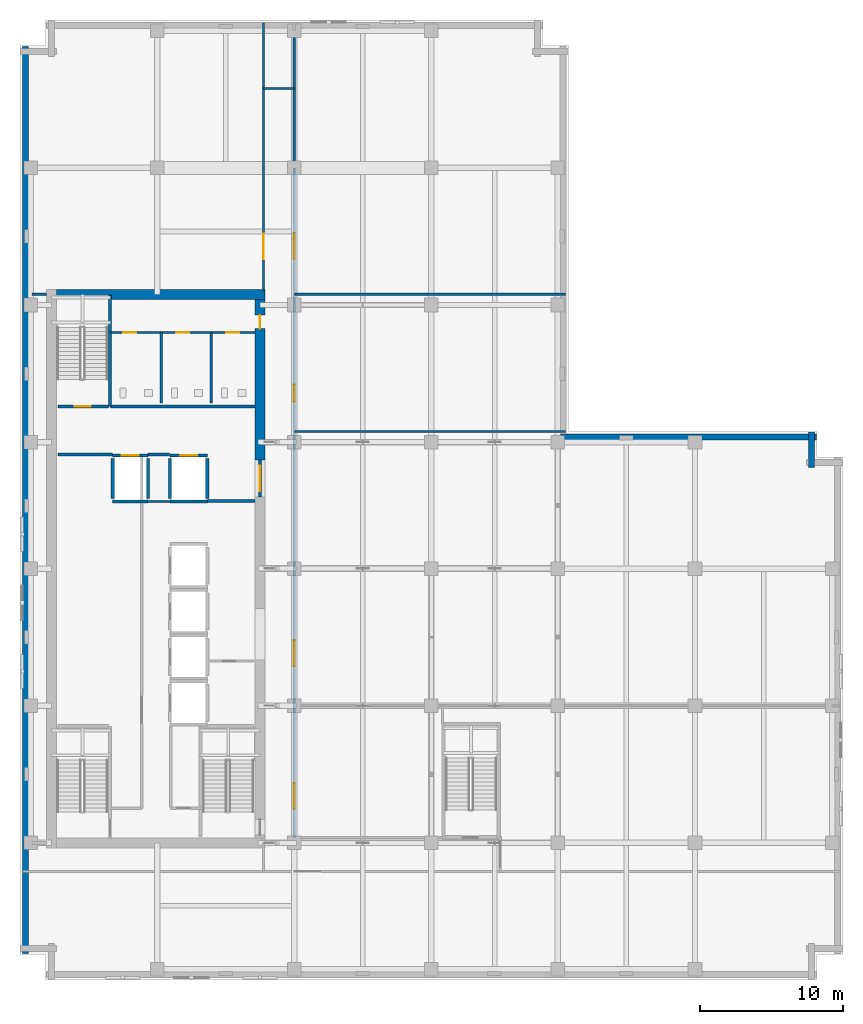
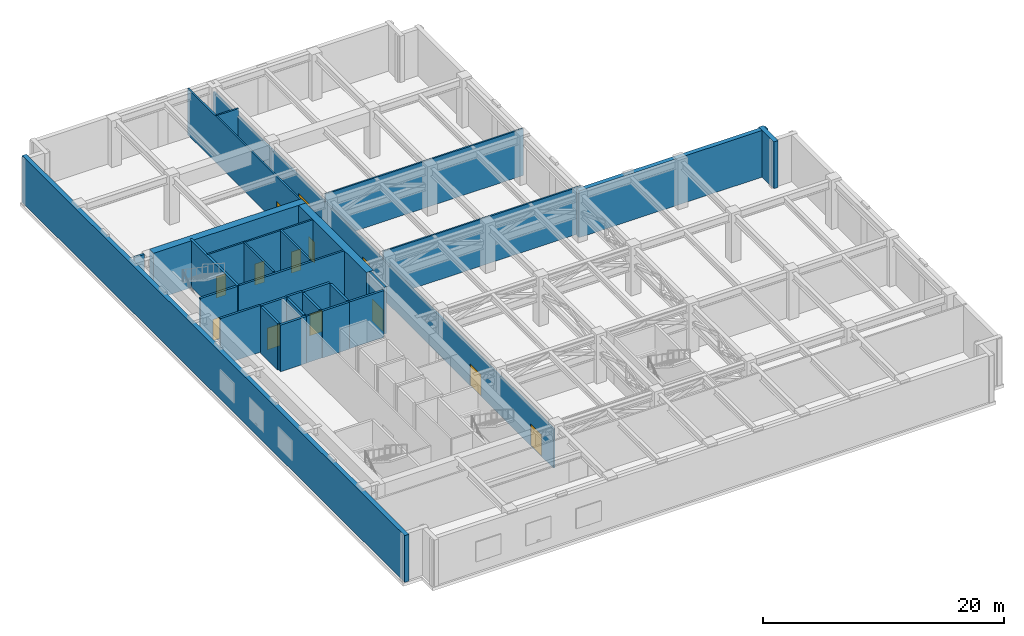
# One storey, part 14 of 21: 31 walls, 13 doors, 13 openings.
"""IFC4 building model written with IfcOpenShell, lengths in metres."""

from ifc_helpers import new_model, si_unit, direction, frame, frame_2d, origin, place, context, subcontext, project, spatial, rectangle, extrude, material, layer, layer_set, type_object, element, fill, save


model = new_model("IFC4")

# Units and contexts
model_context = context("Model", 3, precision=1e-05, world=origin(), true_north=direction((0.0, 1.0)))
body_context = subcontext(model_context, "Body", "Model", "MODEL_VIEW")
ifc_project = project(units=[si_unit("LENGTHUNIT", "METRE"), si_unit("AREAUNIT", "SQUARE_METRE"), si_unit("VOLUMEUNIT", "CUBIC_METRE"), si_unit("PLANEANGLEUNIT", "RADIAN"), si_unit("MASSUNIT", "GRAM", prefix="KILO")], contexts=[model_context])

# Site, building, storey
site_placement = place(None, origin())
site = spatial("IfcSite", under=ifc_project, at=site_placement, CompositionType="ELEMENT")
building_placement = place(site_placement, origin())
building = spatial("IfcBuilding", under=site, at=building_placement, Name="Norrvale University Quadrangle", CompositionType="ELEMENT")
storey_placement = place(building_placement, frame((0.0, 0.0, 194.0)))
storey = spatial("IfcBuildingStorey", under=building, at=storey_placement, Name="L49", CompositionType="ELEMENT", Elevation=194.0)

# Walls
ifc_material_1 = material(Name="Buff Norman Clay Brick Masonry", Category="masonry")
ifc_layer_1 = layer(ifc_material_1, 0.419921875, Name="Buff Norman Clay Brick Masonry")
ifc_layer_set_1 = layer_set([ifc_layer_1], Name="Buff Norman Clay Brick Masonry")
wall_type_1 = type_object("IfcWallType", Name="Wall Buff Brick 420", PredefinedType="SOLIDWALL", material=ifc_layer_set_1)
wall_1_placement = place(storey_placement, frame((55.409912109375, 35.860107421875, 0.0), z_axis=(0.0, 0.0, 1.0), x_axis=(0.0, 1.0, 0.0)))
element("IfcWall", 1, at=wall_1_placement, inside=storey, type_object=wall_type_1, Name="Exterior Brick Facade Wall L49-06.1", PredefinedType="SOLIDWALL", context=body_context, shape_type="SweptSolid", body=[
    extrude(rectangle(XDim=2.5, YDim=0.419921875, at=frame_2d((1.25, 0.0))), origin(), (0.0, 0.0, 1.0), 4.739990234375),
])
wall_2_placement = place(storey_placement, frame((55.760009765625, 38.010009765625, 0.0), z_axis=(0.0, 0.0, 1.0), x_axis=(-1.0, 0.0, 0.0)))
element("IfcWall", 2, at=wall_2_placement, inside=storey, type_object=wall_type_1, Name="Exterior Brick Facade Wall L49-07.1", PredefinedType="SOLIDWALL", context=body_context, shape_type="SweptSolid", body=[
    extrude(rectangle(XDim=18.10009765625, YDim=0.419921875, at=frame_2d((9.050048828125, 0.0))), origin(), (0.0, 0.0, 1.0), 4.739990234375),
])
wall_3_placement = place(storey_placement, frame((0.389892578125, 65.360107421875, 0.0), z_axis=(0.0, 0.0, 1.0), x_axis=(0.0, -1.0, 0.0)))
element("IfcWall", 3, at=wall_3_placement, inside=storey, type_object=wall_type_1, Name="Exterior Brick Facade Wall L49-14.1", PredefinedType="SOLIDWALL", context=body_context, shape_type="SweptSolid", body=[
    extrude(rectangle(XDim=63.52001953125, YDim=0.419921875, at=frame_2d((31.760009765625, 0.0))), origin(), (0.0, 0.0, 1.0), 4.739990234375),
])
ifc_material_2 = material(Name="Concrete C60/75", Category="concrete")
ifc_layer_2 = layer(ifc_material_2, 0.699951171875, Name="Concrete C60/75")
ifc_layer_set_2 = layer_set([ifc_layer_2], Name="Concrete C60/75")
wall_type_2 = type_object("IfcWallType", Name="Wall Core 700", PredefinedType="SHEAR", material=ifc_layer_set_2)
wall_4_placement = place(storey_placement, frame((2.550048828125, 48.0, 0.0), z_axis=(0.0, 0.0, 1.0), x_axis=(1.0, 0.0, 0.0)))
element("IfcWall", 4, at=wall_4_placement, inside=storey, type_object=wall_type_2, Name="Tower Core Shear Wall L49-N", PredefinedType="SHEAR", context=body_context, shape_type="SweptSolid", body=[
    extrude(rectangle(XDim=14.599853515625, YDim=0.699951171875, at=frame_2d((7.2998046875, 0.0))), origin(), (0.0, 0.0, 1.0), 4.739990234375),
])

# Wall, opening, door
wall_5_placement = place(storey_placement, frame((16.800048828125, 36.39990234375, 0.0), z_axis=(0.0, 0.0, 1.0), x_axis=(0.0, 1.0, 0.0)))
wall_5 = element("IfcWall", 5, at=wall_5_placement, inside=storey, type_object=wall_type_2, Name="Tower Core Shear Wall L49-E3", PredefinedType="SHEAR", context=body_context, shape_type="SweptSolid", body=[
    extrude(rectangle(XDim=11.25, YDim=0.699951171875, at=frame_2d((5.625, 0.0))), origin(), (0.0, 0.0, 1.0), 4.739990234375),
])
opening_1_placement = place(wall_5_placement, frame((9.199951171875, 0.0, 0.0)))
opening_1 = element("IfcOpeningElement", 6, at=opening_1_placement, cuts=wall_5, Name="Opening D07", PredefinedType="OPENING", context=body_context, shape_type="SweptSolid", body=[
    extrude(rectangle(XDim=0.949951171875, YDim=2.14990234375, at=frame_2d((0.47509765625, 1.074951171875))), frame((0.0, 0.362060546875, 0.0), z_axis=(0.0, -1.0, 0.0), x_axis=(1.0, 0.0, 0.0)), (0.0, 0.0, 1.0), 0.723876953125),
])
ifc_material_3 = material(Name="Solid-Core Maple Door", Category="wood")
door_type_1 = type_object("IfcDoorType", Name="Door Office 950x2150", OperationType="NOTDEFINED", PredefinedType="DOOR", material=ifc_material_3)
door_1_placement = place(opening_1_placement, origin())
door_1 = element("IfcDoor", 7, at=door_1_placement, inside=storey, type_object=door_type_1, Name="Door Office 950x2150 DR-L49-NECORR", OperationType="SINGLE_SWING_RIGHT", OverallHeight=2.14990234375, OverallWidth=0.949951171875, PredefinedType="DOOR", context=body_context, shape_type="SweptSolid", body=[
    extrude(rectangle(XDim=0.949951171875, YDim=2.14990234375, at=frame_2d((0.47509765625, 1.074951171875))), frame((0.0, 0.02490234375, 0.0), z_axis=(0.0, -1.0, 0.0), x_axis=(1.0, 0.0, 0.0)), (0.0, 0.0, 1.0), 0.050048828125),
])
fill(opening_1, door_1)

# Walls
ifc_material_4 = material(Name="Fire-Rated Gypsum Stud Partition")
ifc_layer_3 = layer(ifc_material_4, 0.14990234375, Name="Fire-Rated Gypsum Stud Partition")
ifc_layer_set_3 = layer_set([ifc_layer_3], Name="Fire-Rated Gypsum Stud Partition")
wall_type_3 = type_object("IfcWallType", Name="Wall Gypsum Corridor 150", PredefinedType="PARTITIONING", material=ifc_layer_set_3)
wall_6_placement = place(storey_placement, frame((8.965087890625, 33.489990234375, 0.0), z_axis=(0.0, 0.0, 1.0), x_axis=(1.0, 0.0, 0.0)))
element("IfcWall", 8, at=wall_6_placement, inside=storey, type_object=wall_type_3, Name="Interior Partition WL-L49-LL3", PredefinedType="PARTITIONING", context=body_context, shape_type="SweptSolid", body=[
    extrude(rectangle(XDim=1.52001953125, YDim=0.14990234375, at=frame_2d((0.760009765625, 0.0))), origin(), (0.0, 0.0, 1.0), 4.739990234375),
])
wall_7_placement = place(storey_placement, frame((17.050048828125, 62.39990234375, 0.0), z_axis=(0.0, 0.0, 1.0), x_axis=(1.0, 0.0, 0.0)))
element("IfcWall", 9, at=wall_7_placement, inside=storey, type_object=wall_type_3, Name="Interior Partition WL-L49-PCN", PredefinedType="PARTITIONING", context=body_context, shape_type="SweptSolid", body=[
    extrude(rectangle(XDim=2.14990234375, YDim=0.14990234375, at=frame_2d((1.074951171875, 0.0))), origin(), (0.0, 0.0, 1.0), 4.699951171875),
])
for number, where, z_axis, x_axis, name in (
    (10, (19.199951171875, 38.39990234375, 0.0), (0.0, 0.0, 1.0), (1.0, 0.0, 0.0), "Interior Partition WL-L49-RF-S"),
    (11, (19.199951171875, 48.0, 0.0), (0.0, 0.0, 1.0), (1.0, 0.0, 0.0), "Interior Partition WL-L49-RF-N"),
):
    element("IfcWall", number, at=place(storey_placement, frame(where, z_axis=z_axis, x_axis=x_axis)), inside=storey, type_object=wall_type_3, Name=name, PredefinedType="PARTITIONING", context=body_context, shape_type="SweptSolid", body=[
        extrude(rectangle(XDim=18.97998046875, YDim=0.14990234375, at=frame_2d((9.489990234375, 0.0))), origin(), (0.0, 0.0, 1.0), 4.739990234375),
    ])

# Wall, openings, doors
wall_8_placement = place(storey_placement, frame((19.199951171875, 9.97998046875, 0.0), z_axis=(0.0, 0.0, 1.0), x_axis=(0.0, 1.0, 0.0)))
wall_8 = element("IfcWall", 12, at=wall_8_placement, inside=storey, type_object=wall_type_3, Name="Interior Partition WL-L49-PE-W", PredefinedType="PARTITIONING", context=body_context, shape_type="SweptSolid", body=[
    extrude(rectangle(XDim=46.8701171875, YDim=0.14990234375, at=frame_2d((23.43505859375, 0.0))), origin(), (0.0, 0.0, 1.0), 3.967041015625),
])
opening_2_placement = place(wall_8_placement, frame((2.0, 0.0, 0.0)))
opening_2 = element("IfcOpeningElement", 13, at=opening_2_placement, cuts=wall_8, Name="Opening D03", PredefinedType="OPENING", context=body_context, shape_type="SweptSolid", body=[
    extrude(rectangle(XDim=1.800048828125, YDim=2.199951171875, at=frame_2d((0.89990234375, 1.10009765625))), frame((0.0, 0.0869140625, 0.0), z_axis=(0.0, -1.0, 0.0), x_axis=(1.0, 0.0, 0.0)), (0.0, 0.0, 1.0), 0.173828125),
])
opening_3_placement = place(wall_8_placement, frame((12.0, 0.0, 0.0)))
opening_3 = element("IfcOpeningElement", 14, at=opening_3_placement, cuts=wall_8, Name="Opening D03", PredefinedType="OPENING", context=body_context, shape_type="SweptSolid", body=[
    extrude(rectangle(XDim=1.800048828125, YDim=2.199951171875, at=frame_2d((0.89990234375, 1.10009765625))), frame((0.0, 0.0869140625, 0.0), z_axis=(0.0, -1.0, 0.0), x_axis=(1.0, 0.0, 0.0)), (0.0, 0.0, 1.0), 0.173828125),
])
opening_4_placement = place(wall_8_placement, frame((30.5, 0.0, 0.0)))
opening_4 = element("IfcOpeningElement", 15, at=opening_4_placement, cuts=wall_8, Name="Opening D05", PredefinedType="OPENING", context=body_context, shape_type="SweptSolid", body=[
    extrude(rectangle(XDim=1.199951171875, YDim=2.199951171875, at=frame_2d((0.60009765625, 1.10009765625))), frame((0.0, 0.0869140625, 0.0), z_axis=(0.0, -1.0, 0.0), x_axis=(1.0, 0.0, 0.0)), (0.0, 0.0, 1.0), 0.173828125),
])
opening_5_placement = place(wall_8_placement, frame((40.5, 0.0, 0.0)))
opening_5 = element("IfcOpeningElement", 16, at=opening_5_placement, cuts=wall_8, Name="Opening D03", PredefinedType="OPENING", context=body_context, shape_type="SweptSolid", body=[
    extrude(rectangle(XDim=1.800048828125, YDim=2.199951171875, at=frame_2d((0.89990234375, 1.10009765625))), frame((0.0, 0.0869140625, 0.0), z_axis=(0.0, -1.0, 0.0), x_axis=(1.0, 0.0, 0.0)), (0.0, 0.0, 1.0), 0.173828125),
])
ifc_material_5 = material(Name="Acoustic Oak Classroom Door", Category="wood")
door_type_2 = type_object("IfcDoorType", Name="Door Classroom 1200x2200", OperationType="NOTDEFINED", PredefinedType="DOOR", material=ifc_material_5)
door_2_placement = place(opening_4_placement, origin())
door_2 = element("IfcDoor", 17, at=door_2_placement, inside=storey, type_object=door_type_2, Name="Door Classroom 1200x2200 DR-L49-REF1", OperationType="SINGLE_SWING_LEFT", OverallHeight=2.199951171875, OverallWidth=1.199951171875, PredefinedType="DOOR", context=body_context, shape_type="SweptSolid", body=[
    extrude(rectangle(XDim=1.199951171875, YDim=2.199951171875, at=frame_2d((0.60009765625, 1.10009765625))), frame((0.0, 0.02490234375, 0.0), z_axis=(0.0, -1.0, 0.0), x_axis=(1.0, 0.0, 0.0)), (0.0, 0.0, 1.0), 0.050048828125),
])
fill(opening_4, door_2)
ifc_material_6 = material(Name="Hollow Steel 350W Fire Door", Category="steel")
door_type_3 = type_object("IfcDoorType", Name="Door Fire Lobby 1800x2200", OperationType="DOUBLE_DOOR_SINGLE_SWING", PredefinedType="DOOR", material=ifc_material_6)
door_3_placement = place(opening_2_placement, origin())
door_3 = element("IfcDoor", 18, at=door_3_placement, inside=storey, type_object=door_type_3, Name="Door Fire Lobby 1800x2200 DR-L49-SUB1", OperationType="DOUBLE_DOOR_SINGLE_SWING", OverallHeight=2.199951171875, OverallWidth=1.800048828125, PredefinedType="DOOR", context=body_context, shape_type="SweptSolid", body=[
    extrude(rectangle(XDim=1.800048828125, YDim=2.199951171875, at=frame_2d((0.89990234375, 1.10009765625))), frame((0.0, 0.02490234375, 0.0), z_axis=(0.0, -1.0, 0.0), x_axis=(1.0, 0.0, 0.0)), (0.0, 0.0, 1.0), 0.050048828125),
])
fill(opening_2, door_3)
door_4_placement = place(opening_3_placement, origin())
door_4 = element("IfcDoor", 19, at=door_4_placement, inside=storey, type_object=door_type_3, Name="Door Fire Lobby 1800x2200 DR-L49-AHU1", OperationType="DOUBLE_DOOR_SINGLE_SWING", OverallHeight=2.199951171875, OverallWidth=1.800048828125, PredefinedType="DOOR", context=body_context, shape_type="SweptSolid", body=[
    extrude(rectangle(XDim=1.800048828125, YDim=2.199951171875, at=frame_2d((0.89990234375, 1.10009765625))), frame((0.0, 0.02490234375, 0.0), z_axis=(0.0, -1.0, 0.0), x_axis=(1.0, 0.0, 0.0)), (0.0, 0.0, 1.0), 0.050048828125),
])
fill(opening_3, door_4)
door_5_placement = place(opening_5_placement, origin())
door_5 = element("IfcDoor", 20, at=door_5_placement, inside=storey, type_object=door_type_3, Name="Door Fire Lobby 1800x2200 DR-L49-FAN1", OperationType="DOUBLE_DOOR_SINGLE_SWING", OverallHeight=2.199951171875, OverallWidth=1.800048828125, PredefinedType="DOOR", context=body_context, shape_type="SweptSolid", body=[
    extrude(rectangle(XDim=1.800048828125, YDim=2.199951171875, at=frame_2d((0.89990234375, 1.10009765625))), frame((0.0, 0.02490234375, 0.0), z_axis=(0.0, -1.0, 0.0), x_axis=(1.0, 0.0, 0.0)), (0.0, 0.0, 1.0), 0.050048828125),
])
fill(opening_5, door_5)

# Wall
wall_9_placement = place(storey_placement, frame((19.199951171875, 56.85009765625, 0.0), z_axis=(0.0, 0.0, 1.0), x_axis=(0.0, 1.0, 0.0)))
element("IfcWall", 21, at=wall_9_placement, inside=storey, type_object=wall_type_3, Name="Interior Partition WL-L49-PE-W-B2", PredefinedType="PARTITIONING", context=body_context, shape_type="SweptSolid", body=[
    extrude(rectangle(XDim=9.599853515625, YDim=0.14990234375, at=frame_2d((4.7998046875, 0.0))), origin(), (0.0, 0.0, 1.0), 3.927001953125),
])

# Wall, opening, door
wall_10_placement = place(storey_placement, frame((17.050048828125, 48.25, 0.0), z_axis=(0.0, 0.0, 1.0), x_axis=(0.0, 1.0, 0.0)))
wall_10 = element("IfcWall", 22, at=wall_10_placement, inside=storey, type_object=wall_type_3, Name="Interior Partition WL-L49-TNK-E", PredefinedType="PARTITIONING", context=body_context, shape_type="SweptSolid", body=[
    extrude(rectangle(XDim=18.72998046875, YDim=0.14990234375, at=frame_2d((9.364990234375, 0.0))), origin(), (0.0, 0.0, 1.0), 4.699951171875),
])
opening_6_placement = place(wall_10_placement, frame((2.199951171875, 0.0, 0.0)))
opening_6 = element("IfcOpeningElement", 23, at=opening_6_placement, cuts=wall_10, Name="Opening D03", PredefinedType="OPENING", context=body_context, shape_type="SweptSolid", body=[
    extrude(rectangle(XDim=1.800048828125, YDim=2.199951171875, at=frame_2d((0.89990234375, 1.10009765625))), frame((0.0, 0.0869140625, 0.0), z_axis=(0.0, -1.0, 0.0), x_axis=(1.0, 0.0, 0.0)), (0.0, 0.0, 1.0), 0.173828125),
])
door_6_placement = place(opening_6_placement, origin())
door_6 = element("IfcDoor", 24, at=door_6_placement, inside=storey, type_object=door_type_3, Name="Door Fire Lobby 1800x2200 DR-L49-TNK1", OperationType="DOUBLE_DOOR_SINGLE_SWING", OverallHeight=2.199951171875, OverallWidth=1.800048828125, PredefinedType="DOOR", context=body_context, shape_type="SweptSolid", body=[
    extrude(rectangle(XDim=1.800048828125, YDim=2.199951171875, at=frame_2d((0.89990234375, 1.10009765625))), frame((0.0, 0.02490234375, 0.0), z_axis=(0.0, -1.0, 0.0), x_axis=(1.0, 0.0, 0.0)), (0.0, 0.0, 1.0), 0.050048828125),
])
fill(opening_6, door_6)

# Wall, openings, doors
ifc_material_7 = material(Name="Sanitary Chase Gypsum Partition")
ifc_layer_4 = layer(ifc_material_7, 0.1650390625, Name="Sanitary Chase Gypsum Partition")
ifc_layer_set_4 = layer_set([ifc_layer_4], Name="Sanitary Chase Gypsum Partition")
wall_type_4 = type_object("IfcWallType", Name="Wall Gypsum Sanitary 165", PredefinedType="PLUMBINGWALL", material=ifc_layer_set_4)
wall_11_placement = place(storey_placement, frame((6.320068359375, 45.320068359375, 0.0), z_axis=(0.0, 0.0, 1.0), x_axis=(1.0, 0.0, 0.0)))
wall_11 = element("IfcWall", 25, at=wall_11_placement, inside=storey, type_object=wall_type_4, Name="Interior Partition WL-L49-WCN", PredefinedType="PLUMBINGWALL", context=body_context, shape_type="SweptSolid", body=[
    extrude(rectangle(XDim=10.1298828125, YDim=0.1650390625, at=frame_2d((5.06494140625, 0.0))), origin(), (0.0, 0.0, 1.0), 4.739990234375),
])
opening_7_placement = place(wall_11_placement, frame((0.89990234375, 0.0, 0.0)))
opening_7 = element("IfcOpeningElement", 26, at=opening_7_placement, cuts=wall_11, Name="Opening D08", PredefinedType="OPENING", context=body_context, shape_type="SweptSolid", body=[
    extrude(rectangle(XDim=0.919921875, YDim=2.14990234375, at=frame_2d((0.4599609375, 1.074951171875))), frame((0.0, 0.094482421875, 0.0), z_axis=(0.0, -1.0, 0.0), x_axis=(1.0, 0.0, 0.0)), (0.0, 0.0, 1.0), 0.18896484375),
])
opening_8_placement = place(wall_11_placement, frame((4.60009765625, 0.0, 0.0)))
opening_8 = element("IfcOpeningElement", 27, at=opening_8_placement, cuts=wall_11, Name="Opening D08", PredefinedType="OPENING", context=body_context, shape_type="SweptSolid", body=[
    extrude(rectangle(XDim=0.919921875, YDim=2.14990234375, at=frame_2d((0.4599609375, 1.074951171875))), frame((0.0, 0.094482421875, 0.0), z_axis=(0.0, -1.0, 0.0), x_axis=(1.0, 0.0, 0.0)), (0.0, 0.0, 1.0), 0.18896484375),
])
opening_9_placement = place(wall_11_placement, frame((8.10009765625, 0.0, 0.0)))
opening_9 = element("IfcOpeningElement", 28, at=opening_9_placement, cuts=wall_11, Name="Opening D08", PredefinedType="OPENING", context=body_context, shape_type="SweptSolid", body=[
    extrude(rectangle(XDim=0.919921875, YDim=2.14990234375, at=frame_2d((0.4599609375, 1.074951171875))), frame((0.0, 0.094482421875, 0.0), z_axis=(0.0, -1.0, 0.0), x_axis=(1.0, 0.0, 0.0)), (0.0, 0.0, 1.0), 0.18896484375),
])
ifc_material_8 = material(Name="Laminate Washroom Door", Category="wood")
door_type_4 = type_object("IfcDoorType", Name="Door Washroom 920x2150", OperationType="NOTDEFINED", PredefinedType="DOOR", material=ifc_material_8)
door_7_placement = place(opening_7_placement, origin())
door_7 = element("IfcDoor", 29, at=door_7_placement, inside=storey, type_object=door_type_4, Name="Door Washroom 920x2150 DR-L49-WC1", OperationType="SINGLE_SWING_LEFT", OverallHeight=2.14990234375, OverallWidth=0.919921875, PredefinedType="DOOR", context=body_context, shape_type="SweptSolid", body=[
    extrude(rectangle(XDim=0.919921875, YDim=2.14990234375, at=frame_2d((0.4599609375, 1.074951171875))), frame((0.0, 0.02490234375, 0.0), z_axis=(0.0, -1.0, 0.0), x_axis=(1.0, 0.0, 0.0)), (0.0, 0.0, 1.0), 0.050048828125),
])
fill(opening_7, door_7)
door_8_placement = place(opening_8_placement, origin())
door_8 = element("IfcDoor", 30, at=door_8_placement, inside=storey, type_object=door_type_4, Name="Door Washroom 920x2150 DR-L49-WC2", OperationType="SINGLE_SWING_RIGHT", OverallHeight=2.14990234375, OverallWidth=0.919921875, PredefinedType="DOOR", context=body_context, shape_type="SweptSolid", body=[
    extrude(rectangle(XDim=0.919921875, YDim=2.14990234375, at=frame_2d((0.4599609375, 1.074951171875))), frame((0.0, 0.02490234375, 0.0), z_axis=(0.0, -1.0, 0.0), x_axis=(1.0, 0.0, 0.0)), (0.0, 0.0, 1.0), 0.050048828125),
])
fill(opening_8, door_8)
door_9_placement = place(opening_9_placement, origin())
door_9 = element("IfcDoor", 31, at=door_9_placement, inside=storey, type_object=door_type_4, Name="Door Washroom 920x2150 DR-L49-WC3", OperationType="SINGLE_SWING_LEFT", OverallHeight=2.14990234375, OverallWidth=0.919921875, PredefinedType="DOOR", context=body_context, shape_type="SweptSolid", body=[
    extrude(rectangle(XDim=0.919921875, YDim=2.14990234375, at=frame_2d((0.4599609375, 1.074951171875))), frame((0.0, 0.02490234375, 0.0), z_axis=(0.0, -1.0, 0.0), x_axis=(1.0, 0.0, 0.0)), (0.0, 0.0, 1.0), 0.050048828125),
])
fill(opening_9, door_9)

# Walls
for number, where, z_axis, x_axis, name in (
    (32, (9.89990234375, 40.39990234375, 0.0), (0.0, 0.0, 1.0), (0.0, 1.0, 0.0), "Interior Partition WL-L49-WCM1"),
    (33, (13.39990234375, 40.39990234375, 0.0), (0.0, 0.0, 1.0), (0.0, 1.0, 0.0), "Interior Partition WL-L49-WCM2"),
):
    element("IfcWall", number, at=place(storey_placement, frame(where, z_axis=z_axis, x_axis=x_axis)), inside=storey, type_object=wall_type_4, Name=name, PredefinedType="PLUMBINGWALL", context=body_context, shape_type="SweptSolid", body=[
        extrude(rectangle(XDim=4.920166015625, YDim=0.1650390625, at=frame_2d((2.4599609375, 0.0))), origin(), (0.0, 0.0, 1.0), 4.739990234375),
    ])
ifc_material_9 = material(Name="Concrete Blockwork 20 MPa Rated Wall", Category="masonry")
ifc_layer_5 = layer(ifc_material_9, 0.199951171875, Name="Concrete Blockwork 20 MPa Rated Wall")
ifc_layer_set_5 = layer_set([ifc_layer_5], Name="Concrete Blockwork 20 MPa Rated Wall")
wall_type_5 = type_object("IfcWallType", Name="Wall Lobby 200", PredefinedType="SOLIDWALL", material=ifc_layer_set_5)
wall_12_placement = place(storey_placement, frame((2.64990234375, 36.780029296875, 0.0), z_axis=(0.0, 0.0, 1.0), x_axis=(1.0, 0.0, 0.0)))
element("IfcWall", 34, at=wall_12_placement, inside=storey, type_object=wall_type_5, Name="Interior Partition WL-L49-FF1", PredefinedType="SOLIDWALL", context=body_context, shape_type="SweptSolid", body=[
    extrude(rectangle(XDim=3.830078125, YDim=0.199951171875, at=frame_2d((1.9150390625, 0.0))), origin(), (0.0, 0.0, 1.0), 4.739990234375),
])
wall_13_placement = place(storey_placement, frame((8.969970703125, 36.780029296875, 0.0), z_axis=(0.0, 0.0, 1.0), x_axis=(1.0, 0.0, 0.0)))
element("IfcWall", 35, at=wall_13_placement, inside=storey, type_object=wall_type_5, Name="Interior Partition WL-L49-FF2", PredefinedType="SOLIDWALL", context=body_context, shape_type="SweptSolid", body=[
    extrude(rectangle(XDim=1.510009765625, YDim=0.199951171875, at=frame_2d((0.7548828125, 0.0))), origin(), (0.0, 0.0, 1.0), 4.739990234375),
])
wall_14_placement = place(storey_placement, frame((13.1201171875, 33.52001953125, 0.0), z_axis=(0.0, 0.0, 1.0), x_axis=(1.0, 0.0, 0.0)))
element("IfcWall", 36, at=wall_14_placement, inside=storey, type_object=wall_type_5, Name="Interior Partition WL-L49-FF3", PredefinedType="SOLIDWALL", context=body_context, shape_type="SweptSolid", body=[
    extrude(rectangle(XDim=3.329833984375, YDim=0.199951171875, at=frame_2d((1.6650390625, 0.0))), origin(), (0.0, 0.0, 1.0), 4.739990234375),
])
wall_15_placement = place(storey_placement, frame((6.320068359375, 40.139892578125, 0.0), z_axis=(0.0, 0.0, 1.0), x_axis=(1.0, 0.0, 0.0)))
element("IfcWall", 37, at=wall_15_placement, inside=storey, type_object=wall_type_5, Name="Interior Partition WL-L49-FF4", PredefinedType="SOLIDWALL", context=body_context, shape_type="SweptSolid", body=[
    extrude(rectangle(XDim=10.1298828125, YDim=0.199951171875, at=frame_2d((5.06494140625, 0.0))), origin(), (0.0, 0.0, 1.0), 4.739990234375),
])

# Wall, opening, door
wall_16_placement = place(storey_placement, frame((16.800048828125, 33.800048828125, 0.0), z_axis=(0.0, 0.0, 1.0), x_axis=(0.0, 1.0, 0.0)))
wall_16 = element("IfcWall", 38, at=wall_16_placement, inside=storey, type_object=wall_type_5, Name="Interior Partition WL-L49-FFP", PredefinedType="SOLIDWALL", context=body_context, shape_type="SweptSolid", body=[
    extrude(rectangle(XDim=2.599853515625, YDim=0.199951171875, at=frame_2d((1.2998046875, 0.0))), origin(), (0.0, 0.0, 1.0), 4.739990234375),
])
opening_10_placement = place(wall_16_placement, frame((0.39990234375, 0.0, 0.0)))
opening_10 = element("IfcOpeningElement", 39, at=opening_10_placement, cuts=wall_16, Name="Opening D03", PredefinedType="OPENING", context=body_context, shape_type="SweptSolid", body=[
    extrude(rectangle(XDim=1.800048828125, YDim=2.199951171875, at=frame_2d((0.89990234375, 1.10009765625))), frame((0.0, 0.112060546875, 0.0), z_axis=(0.0, -1.0, 0.0), x_axis=(1.0, 0.0, 0.0)), (0.0, 0.0, 1.0), 0.223876953125),
])
door_10_placement = place(opening_10_placement, origin())
door_10 = element("IfcDoor", 40, at=door_10_placement, inside=storey, type_object=door_type_3, Name="Door Fire Lobby 1800x2200 DR-L49-FFP", OperationType="DOUBLE_DOOR_SINGLE_SWING", OverallHeight=2.199951171875, OverallWidth=1.800048828125, PredefinedType="DOOR", context=body_context, shape_type="SweptSolid", body=[
    extrude(rectangle(XDim=1.800048828125, YDim=2.199951171875, at=frame_2d((0.89990234375, 1.10009765625))), frame((0.0, 0.02490234375, 0.0), z_axis=(0.0, -1.0, 0.0), x_axis=(1.0, 0.0, 0.0)), (0.0, 0.0, 1.0), 0.050048828125),
])
fill(opening_10, door_10)

# Wall
wall_17_placement = place(storey_placement, frame((0.85009765625, 48.0, 0.0), z_axis=(0.0, 0.0, 1.0), x_axis=(1.0, 0.0, 0.0)))
element("IfcWall", 41, at=wall_17_placement, inside=storey, type_object=wall_type_5, Name="Interior Partition WL-L49-CWRET-N", PredefinedType="SOLIDWALL", context=body_context, shape_type="SweptSolid", body=[
    extrude(rectangle(XDim=0.994873046875, YDim=0.199951171875, at=frame_2d((0.49755859375, 0.0))), origin(), (0.0, 0.0, 1.0), 4.739990234375),
])

# Wall, opening, door
ifc_material_10 = material(Name="Concrete Blockwork 20 MPa Fire Shaft", Category="masonry")
ifc_layer_6 = layer(ifc_material_10, 0.219970703125, Name="Concrete Blockwork 20 MPa Fire Shaft")
ifc_layer_set_6 = layer_set([ifc_layer_6], Name="Concrete Blockwork 20 MPa Fire Shaft")
wall_type_6 = type_object("IfcWallType", Name="Wall Shaft 220", PredefinedType="SOLIDWALL", material=ifc_layer_set_6)
wall_18_placement = place(storey_placement, frame((2.64990234375, 40.139892578125, 0.0), z_axis=(0.0, 0.0, 1.0), x_axis=(1.0, 0.0, 0.0)))
wall_18 = element("IfcWall", 42, at=wall_18_placement, inside=storey, type_object=wall_type_6, Name="Stair ST-02 South Shaft Wall L49", PredefinedType="SOLIDWALL", context=body_context, shape_type="SweptSolid", body=[
    extrude(rectangle(XDim=3.550048828125, YDim=0.219970703125, at=frame_2d((1.77490234375, 0.0))), origin(), (0.0, 0.0, 1.0), 4.739990234375),
])
opening_11_placement = place(wall_18_placement, frame((1.199951171875, 0.0, 0.0)))
opening_11 = element("IfcOpeningElement", 43, at=opening_11_placement, cuts=wall_18, Name="Opening D02", PredefinedType="OPENING", context=body_context, shape_type="SweptSolid", body=[
    extrude(rectangle(XDim=1.10009765625, YDim=2.199951171875, at=frame_2d((0.550048828125, 1.10009765625))), frame((0.0, 0.1220703125, 0.0), z_axis=(0.0, -1.0, 0.0), x_axis=(1.0, 0.0, 0.0)), (0.0, 0.0, 1.0), 0.243896484375),
])
door_type_5 = type_object("IfcDoorType", Name="Door Stair Exit 1100x2200", OperationType="NOTDEFINED", PredefinedType="DOOR", material=ifc_material_6)
door_11_placement = place(opening_11_placement, origin())
door_11 = element("IfcDoor", 44, at=door_11_placement, inside=storey, type_object=door_type_5, Name="Door Stair Exit 1100x2200 DR-L49-ST02", OperationType="SINGLE_SWING_LEFT", OverallHeight=2.199951171875, OverallWidth=1.10009765625, PredefinedType="DOOR", context=body_context, shape_type="SweptSolid", body=[
    extrude(rectangle(XDim=1.10009765625, YDim=2.199951171875, at=frame_2d((0.550048828125, 1.10009765625))), frame((0.0, 0.02490234375, 0.0), z_axis=(0.0, -1.0, 0.0), x_axis=(1.0, 0.0, 0.0)), (0.0, 0.0, 1.0), 0.050048828125),
])
fill(opening_11, door_11)

# Walls
wall_19_placement = place(storey_placement, frame((6.31005859375, 40.139892578125, 0.0), z_axis=(0.0, 0.0, 1.0), x_axis=(0.0, 1.0, 0.0)))
element("IfcWall", 45, at=wall_19_placement, inside=storey, type_object=wall_type_6, Name="Stair ST-02 East Shaft Wall L49", PredefinedType="SOLIDWALL", context=body_context, shape_type="SweptSolid", body=[
    extrude(rectangle(XDim=7.81005859375, YDim=0.219970703125, at=frame_2d((3.905029296875, 0.0))), origin(), (0.0, 0.0, 1.0), 4.739990234375),
])
for number, where, z_axis, x_axis, name in (
    (46, (6.489990234375, 33.7099609375, 0.0), (0.0, 0.0, 1.0), (0.0, 1.0, 0.0), "Hoistway FFL-01 West Wall L49"),
    (47, (8.9599609375, 33.7099609375, 0.0), (0.0, 0.0, 1.0), (0.0, 1.0, 0.0), "Hoistway FFL-01 East Wall L49"),
):
    element("IfcWall", number, at=place(storey_placement, frame(where, z_axis=z_axis, x_axis=x_axis)), inside=storey, type_object=wall_type_6, Name=name, PredefinedType="SOLIDWALL", context=body_context, shape_type="SweptSolid", body=[
        extrude(rectangle(XDim=2.780029296875, YDim=0.219970703125, at=frame_2d((1.39013671875, 0.0))), origin(), (0.0, 0.0, 1.0), 4.739990234375),
    ])
wall_20_placement = place(storey_placement, frame((6.489990234375, 33.489990234375, 0.0), z_axis=(0.0, 0.0, 1.0), x_axis=(1.0, 0.0, 0.0)))
element("IfcWall", 48, at=wall_20_placement, inside=storey, type_object=wall_type_6, Name="Hoistway FFL-01 South Wall L49", PredefinedType="SOLIDWALL", context=body_context, shape_type="SweptSolid", body=[
    extrude(rectangle(XDim=2.469970703125, YDim=0.219970703125, at=frame_2d((1.23486328125, 0.0))), origin(), (0.0, 0.0, 1.0), 4.739990234375),
])

# Wall, opening, door
wall_21_placement = place(storey_placement, frame((6.489990234375, 36.7099609375, 0.0), z_axis=(0.0, 0.0, 1.0), x_axis=(1.0, 0.0, 0.0)))
wall_21 = element("IfcWall", 49, at=wall_21_placement, inside=storey, type_object=wall_type_6, Name="Hoistway FFL-01 North Wall L49", PredefinedType="SOLIDWALL", context=body_context, shape_type="SweptSolid", body=[
    extrude(rectangle(XDim=2.469970703125, YDim=0.219970703125, at=frame_2d((1.23486328125, 0.0))), origin(), (0.0, 0.0, 1.0), 4.739990234375),
])
opening_12_placement = place(wall_21_placement, frame((0.635009765625, 0.0, 0.0)))
opening_12 = element("IfcOpeningElement", 50, at=opening_12_placement, cuts=wall_21, Name="Opening LD2", PredefinedType="OPENING", context=body_context, shape_type="SweptSolid", body=[
    extrude(rectangle(XDim=1.199951171875, YDim=2.199951171875, at=frame_2d((0.60009765625, 1.10009765625))), frame((0.0, 0.1220703125, 0.0), z_axis=(0.0, -1.0, 0.0), x_axis=(1.0, 0.0, 0.0)), (0.0, 0.0, 1.0), 0.243896484375),
])
ifc_material_11 = material(Name="Stainless Steel 316L Firefighter Lift Door", Category="steel")
door_type_6 = type_object("IfcDoorType", Name="Door Fire Lift 1200x2200", OperationType="DOUBLE_DOOR_SLIDING", PredefinedType="DOOR", material=ifc_material_11)
door_12_placement = place(opening_12_placement, origin())
door_12 = element("IfcDoor", 51, at=door_12_placement, inside=storey, type_object=door_type_6, Name="Elevator Landing Door DR-L49-FFL-01", OperationType="DOUBLE_DOOR_SLIDING", OverallHeight=2.199951171875, OverallWidth=1.199951171875, PredefinedType="DOOR", context=body_context, shape_type="SweptSolid", body=[
    extrude(rectangle(XDim=1.199951171875, YDim=2.199951171875, at=frame_2d((0.60009765625, 1.10009765625))), frame((0.0, 0.02490234375, 0.0), z_axis=(0.0, -1.0, 0.0), x_axis=(1.0, 0.0, 0.0)), (0.0, 0.0, 1.0), 0.050048828125),
])
fill(opening_12, door_12)

# Walls
for number, where, z_axis, x_axis, name in (
    (52, (10.489990234375, 33.7099609375, 0.0), (0.0, 0.0, 1.0), (0.0, 1.0, 0.0), "Hoistway FFL-02 West Wall L49"),
    (53, (13.110107421875, 33.7099609375, 0.0), (0.0, 0.0, 1.0), (0.0, 1.0, 0.0), "Hoistway FFL-02 East Wall L49"),
):
    element("IfcWall", number, at=place(storey_placement, frame(where, z_axis=z_axis, x_axis=x_axis)), inside=storey, type_object=wall_type_6, Name=name, PredefinedType="SOLIDWALL", context=body_context, shape_type="SweptSolid", body=[
        extrude(rectangle(XDim=2.780029296875, YDim=0.219970703125, at=frame_2d((1.39013671875, 0.0))), origin(), (0.0, 0.0, 1.0), 4.739990234375),
    ])
wall_22_placement = place(storey_placement, frame((10.489990234375, 33.489990234375, 0.0), z_axis=(0.0, 0.0, 1.0), x_axis=(1.0, 0.0, 0.0)))
element("IfcWall", 54, at=wall_22_placement, inside=storey, type_object=wall_type_6, Name="Hoistway FFL-02 South Wall L49", PredefinedType="SOLIDWALL", context=body_context, shape_type="SweptSolid", body=[
    extrude(rectangle(XDim=2.6201171875, YDim=0.219970703125, at=frame_2d((1.31005859375, 0.0))), origin(), (0.0, 0.0, 1.0), 4.739990234375),
])

# Wall, opening, door
wall_23_placement = place(storey_placement, frame((10.489990234375, 36.7099609375, 0.0), z_axis=(0.0, 0.0, 1.0), x_axis=(1.0, 0.0, 0.0)))
wall_23 = element("IfcWall", 55, at=wall_23_placement, inside=storey, type_object=wall_type_6, Name="Hoistway FFL-02 North Wall L49", PredefinedType="SOLIDWALL", context=body_context, shape_type="SweptSolid", body=[
    extrude(rectangle(XDim=2.6201171875, YDim=0.219970703125, at=frame_2d((1.31005859375, 0.0))), origin(), (0.0, 0.0, 1.0), 4.739990234375),
])
opening_13_placement = place(wall_23_placement, frame((0.7099609375, 0.0, 0.0)))
opening_13 = element("IfcOpeningElement", 56, at=opening_13_placement, cuts=wall_23, Name="Opening LD2", PredefinedType="OPENING", context=body_context, shape_type="SweptSolid", body=[
    extrude(rectangle(XDim=1.199951171875, YDim=2.199951171875, at=frame_2d((0.60009765625, 1.10009765625))), frame((0.0, 0.1220703125, 0.0), z_axis=(0.0, -1.0, 0.0), x_axis=(1.0, 0.0, 0.0)), (0.0, 0.0, 1.0), 0.243896484375),
])
door_13_placement = place(opening_13_placement, origin())
door_13 = element("IfcDoor", 57, at=door_13_placement, inside=storey, type_object=door_type_6, Name="Elevator Landing Door DR-L49-FFL-02", OperationType="DOUBLE_DOOR_SLIDING", OverallHeight=2.199951171875, OverallWidth=1.199951171875, PredefinedType="DOOR", context=body_context, shape_type="SweptSolid", body=[
    extrude(rectangle(XDim=1.199951171875, YDim=2.199951171875, at=frame_2d((0.60009765625, 1.10009765625))), frame((0.0, 0.02490234375, 0.0), z_axis=(0.0, -1.0, 0.0), x_axis=(1.0, 0.0, 0.0)), (0.0, 0.0, 1.0), 0.050048828125),
])
fill(opening_13, door_13)

save(model, "model.ifc")
